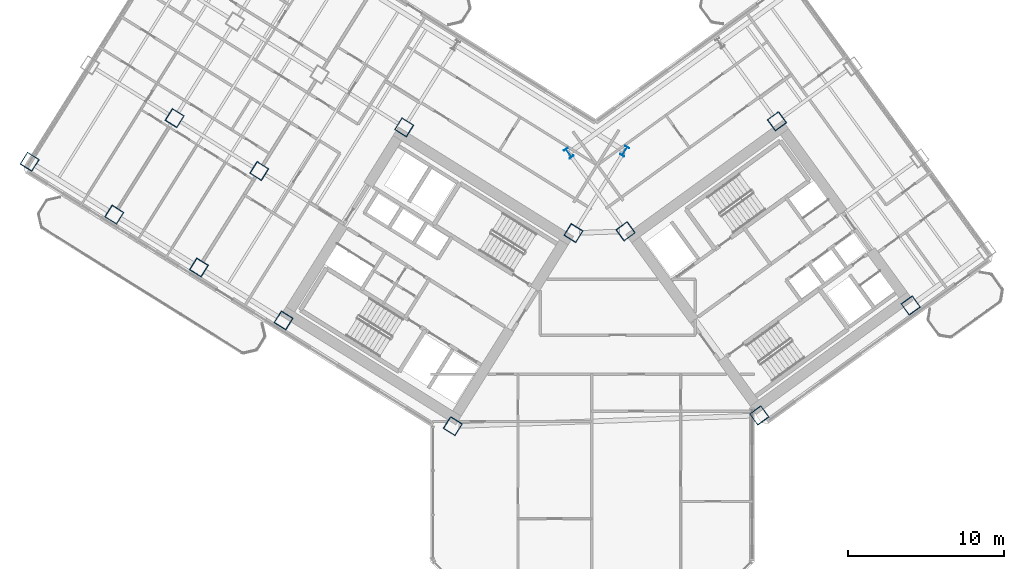
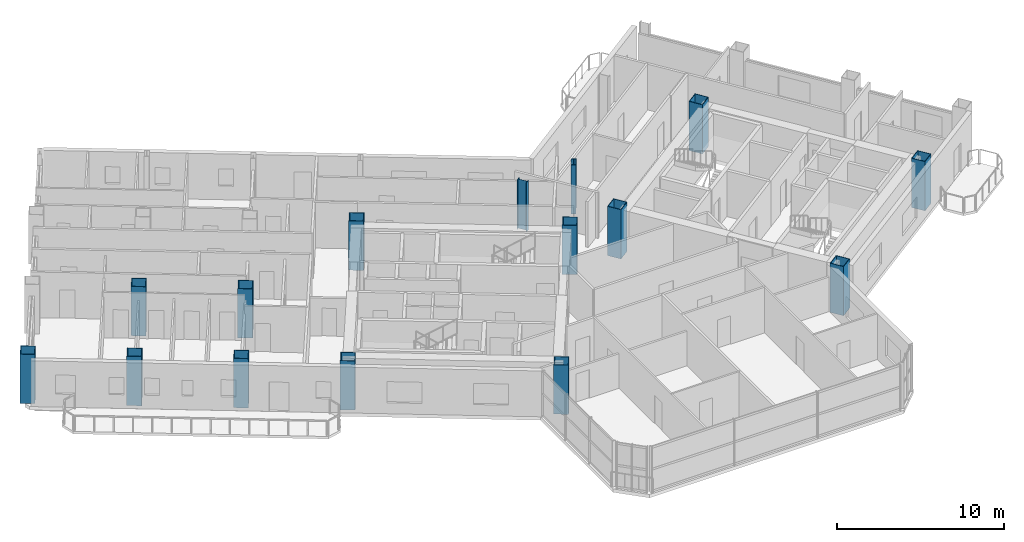
# One storey, part 1 of 21: 15 columns.
"""IFC4 building model written with IfcOpenShell, lengths in metres."""

from ifc_helpers import new_model, si_unit, direction, frame, origin, origin_2d, place, context, subcontext, project, spatial, hollow_rectangle, i_section, extrude, source, transform, mapped, material, material_profile, profile_set, type_object, element, save


model = new_model("IFC4")

# Units and contexts
model_context = context("Model", 3, precision=1e-05, world=origin(), true_north=direction((0.0, 1.0)))
body_context = subcontext(model_context, "Body", "Model", "MODEL_VIEW")
ifc_project = project(units=[si_unit("LENGTHUNIT", "METRE"), si_unit("AREAUNIT", "SQUARE_METRE"), si_unit("VOLUMEUNIT", "CUBIC_METRE"), si_unit("PLANEANGLEUNIT", "RADIAN"), si_unit("MASSUNIT", "GRAM", prefix="KILO")], contexts=[model_context])

# Site, building, storey
site_placement = place(None, origin())
site = spatial("IfcSite", under=ifc_project, at=site_placement, CompositionType="ELEMENT")
building_placement = place(site_placement, origin())
building = spatial("IfcBuilding", under=site, at=building_placement, Name="Tlacorven Tower", CompositionType="ELEMENT")
storey_placement = place(building_placement, frame((0.0, 0.0, 90.0)))
storey = spatial("IfcBuildingStorey", under=building, at=storey_placement, Name="L22", CompositionType="ELEMENT", Elevation=90.0)

# Columns
ifc_material = material(Name="Steel S460M", Category="steel")
ifc_material_profile_1 = material_profile(ifc_material, i_section(OverallWidth=0.300048828125, OverallDepth=0.64990234375, WebThickness=0.01611328125, FlangeThickness=0.031005859375, at=origin_2d()), Name="HEB 650")
ifc_profile_set_1 = profile_set([ifc_material_profile_1], Name="Steel S460M")
column_type_1 = type_object("IfcColumnType", Name="COL-TWR-P1", PredefinedType="COLUMN", material=ifc_profile_set_1)
shared_shape_1 = source(origin(), body_context, "Body", "SweptSolid", [
    extrude(i_section(OverallWidth=0.300048828125, OverallDepth=0.64990234375, WebThickness=0.01611328125, FlangeThickness=0.031005859375, at=origin_2d()), origin(), (0.0, 0.0, 1.0), 3.60009765625),
])
for number, where, z_axis, x_axis, name in (
    (1, (44.068359375, 29.726318359375, 0.0), (0.0, 0.0, 1.0), (-0.848048096156, 0.529919264233, 0.0), "L22 column COL-L22-W1-1"),
    (2, (40.4794921875, 29.60107421875, 0.0), (0.0, 0.0, 1.0), (0.809016994375, 0.587785252292, 0.0), "L22 column COL-L22-E1-4"),
):
    element("IfcColumn", number, at=place(storey_placement, frame(where, z_axis=z_axis, x_axis=x_axis)), inside=storey, type_object=column_type_1, Name=name, PredefinedType="COLUMN", context=body_context, shape_type="MappedRepresentation", body=[
        mapped(shared_shape_1, transform((0.0, 0.0, 0.0), scale=1.0)),
    ])
ifc_material_profile_2 = material_profile(ifc_material, hollow_rectangle(XDim=0.89990234375, YDim=0.89990234375, WallThickness=0.035888671875, at=origin_2d()), Name="BOX 900X900X36")
ifc_profile_set_2 = profile_set([ifc_material_profile_2], Name="Steel S460M")
column_type_2 = type_object("IfcColumnType", Name="COL-TWR-S2", PredefinedType="COLUMN", material=ifc_profile_set_2)
shared_shape_2 = source(origin(), body_context, "Body", "SweptSolid", [
    extrude(hollow_rectangle(XDim=0.89990234375, YDim=0.89990234375, WallThickness=0.035888671875, at=origin_2d()), origin(), (0.0, 0.0, 1.0), 3.60009765625),
])
for number, where, z_axis, x_axis, name in (
    (3, (40.782958984375, 24.468505859375, 0.0), (0.0, 0.0, 1.0), (-0.848048096156, 0.529919264233, 0.0), "L22 column COL-L22-W1-2"),
    (4, (33.046142578125, 12.0869140625, 0.0), (0.0, 0.0, 1.0), (-0.848048096156, 0.529919264233, 0.0), "L22 column COL-L22-W1-4"),
    (5, (29.927978515625, 31.25146484375, 0.0), (0.0, 0.0, 1.0), (-0.848048096156, 0.529919264233, 0.0), "L22 column COL-L22-W3-2"),
    (6, (22.191162109375, 18.869873046875, 0.0), (0.0, 0.0, 1.0), (-0.848048096156, 0.529919264233, 0.0), "L22 column COL-L22-W3-4"),
    (7, (20.632080078125, 28.4521484375, 0.0), (0.0, 0.0, 1.0), (-0.848048096156, 0.529919264233, 0.0), "L22 column COL-L22-W4-3"),
    (8, (16.763671875, 22.26123046875, 0.0), (0.0, 0.0, 1.0), (-0.848048096156, 0.529919264233, 0.0), "L22 column COL-L22-W4-4"),
    (9, (15.20458984375, 31.843505859375, 0.0), (0.0, 0.0, 1.0), (-0.848048096156, 0.529919264233, 0.0), "L22 column COL-L22-W5-3"),
    (10, (11.336181640625, 25.65283203125, 0.0), (0.0, 0.0, 1.0), (-0.848048096156, 0.529919264233, 0.0), "L22 column COL-L22-W5-4"),
    (11, (5.90869140625, 29.044189453125, 0.0), (0.0, 0.0, 1.0), (-0.848048096156, 0.529919264233, 0.0), "L22 column COL-L22-W6-4"),
    (12, (52.705322265625, 12.7734375, 0.0), (0.0, 0.0, 1.0), (0.809016994375, 0.587785252292, 0.0), "L22 column COL-L22-E1-1"),
    (13, (44.123779296875, 24.5849609375, 0.0), (0.0, 0.0, 1.0), (0.809016994375, 0.587785252292, 0.0), "L22 column COL-L22-E1-3"),
    (14, (62.41357421875, 19.826904296875, 0.0), (0.0, 0.0, 1.0), (0.809016994375, 0.587785252292, 0.0), "L22 column COL-L22-E3-1"),
    (15, (53.83203125, 31.638427734375, 0.0), (0.0, 0.0, 1.0), (0.809016994375, 0.587785252292, 0.0), "L22 column COL-L22-E3-3"),
):
    element("IfcColumn", number, at=place(storey_placement, frame(where, z_axis=z_axis, x_axis=x_axis)), inside=storey, type_object=column_type_2, Name=name, PredefinedType="COLUMN", context=body_context, shape_type="MappedRepresentation", body=[
        mapped(shared_shape_2, transform((0.0, 0.0, 0.0), scale=1.0)),
    ])

save(model, "model.ifc")
